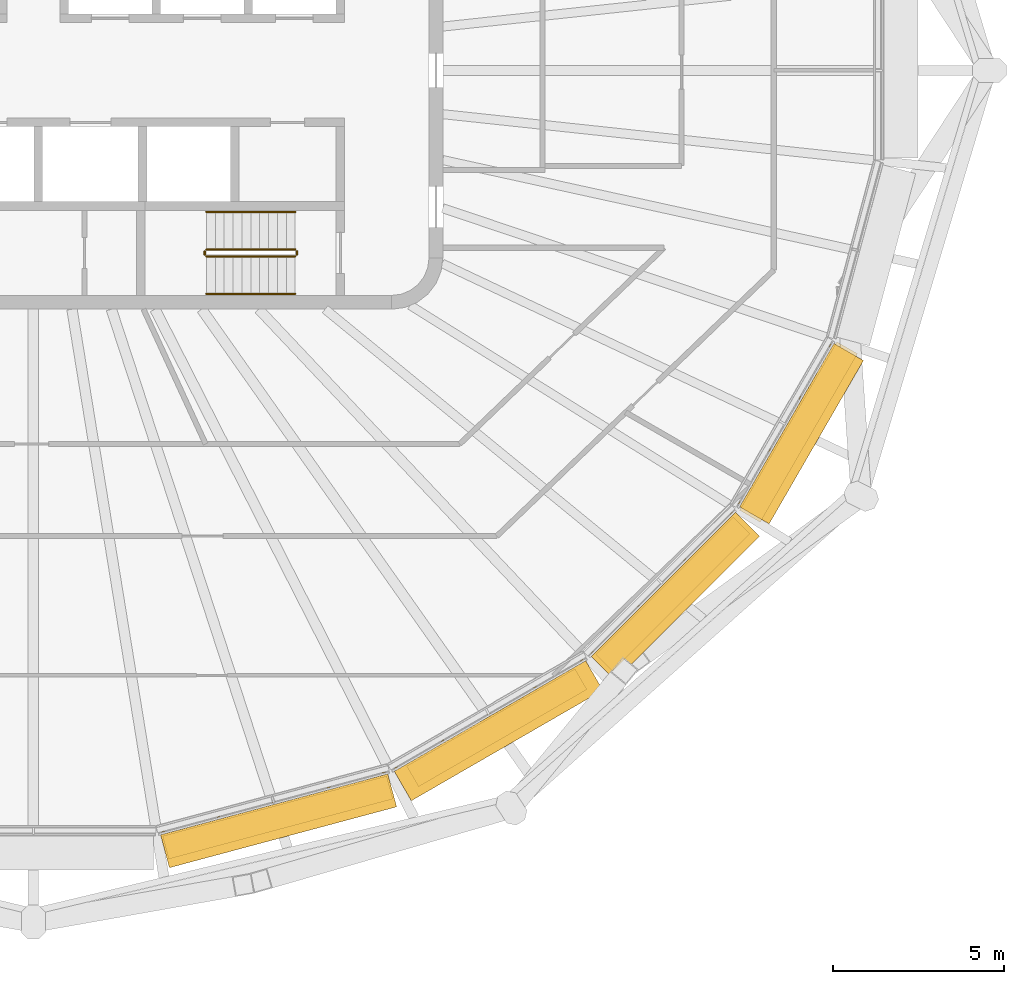
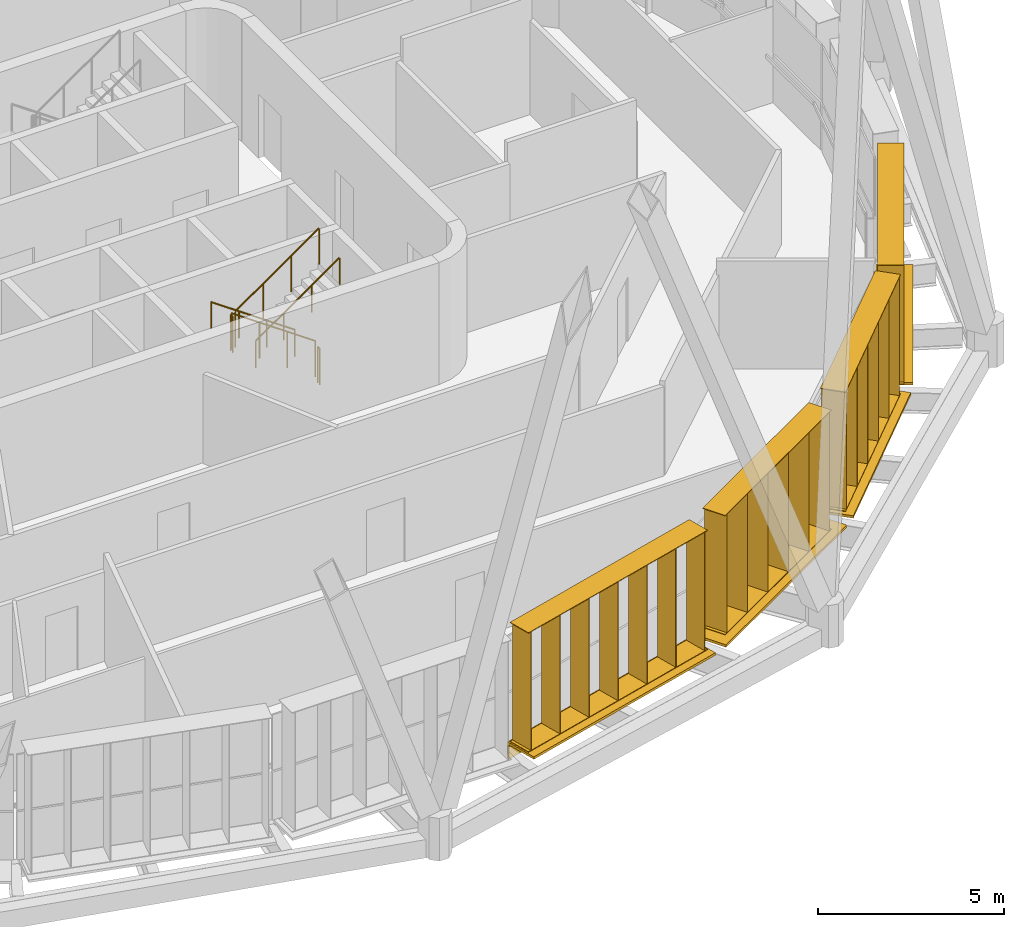
# One storey, part 16 of 18: 8 shading devices, 6 railings.
"""IFC4 building model written with IfcOpenShell, lengths in metres."""

from ifc_helpers import new_model, si_unit, direction, frame, origin, origin_2d, place, context, subcontext, project, spatial, rectangle, circle, extrude, material, type_object, element, save


model = new_model("IFC4")

# Units and contexts
model_context = context("Model", 3, precision=1e-05, world=origin(), true_north=direction((0.0, 1.0)))
body_context = subcontext(model_context, "Body", "Model", "MODEL_VIEW")
ifc_project = project(units=[si_unit("LENGTHUNIT", "METRE"), si_unit("AREAUNIT", "SQUARE_METRE"), si_unit("VOLUMEUNIT", "CUBIC_METRE"), si_unit("PLANEANGLEUNIT", "RADIAN"), si_unit("MASSUNIT", "GRAM", prefix="KILO")], contexts=[model_context])

# Site, building, storey
site_placement = place(None, origin())
site = spatial("IfcSite", under=ifc_project, at=site_placement, CompositionType="ELEMENT")
building_placement = place(site_placement, origin())
building = spatial("IfcBuilding", under=site, at=building_placement, Name="Sahrelin Media Tower", CompositionType="ELEMENT")
storey_placement = place(building_placement, frame((0.0, 0.0, 316.39990234375)))
storey = spatial("IfcBuildingStorey", under=building, at=storey_placement, Name="L70", CompositionType="ELEMENT", Elevation=316.39990234375)

# Shading devices
ifc_material_1 = material(Name="Champagne anodised aluminium 6063-T6", Category="aluminium")
shading_device_type_1 = type_object("IfcShadingDeviceType", Name="Fin cassette", PredefinedType="USERDEFINED", material=ifc_material_1)
placement_1 = place(storey_placement, frame((7.0537109375, -21.489990234375, 0.0), z_axis=(0.0, 0.0, 1.0), x_axis=(-0.965928857556, -0.258807731996, 0.0)))
element("IfcShadingDevice", 1, at=placement_1, inside=storey, type_object=shading_device_type_1, Name="L70:FIN:L70-19", ObjectType="FIN", PredefinedType="USERDEFINED", context=body_context, shape_type="SweptSolid", body=[
    extrude(rectangle(XDim=6.800048828125, YDim=0.699951171875, at=origin_2d()), frame((0.0, 0.419921875, 0.0)), (0.0, 0.0, 1.0), 0.02001953125),
    extrude(rectangle(XDim=6.800048828125, YDim=0.699951171875, at=origin_2d()), frame((0.0, 0.419921875, 3.89990234375)), (0.0, 0.0, 1.0), 0.02001953125),
    extrude(rectangle(XDim=0.02001953125, YDim=0.699951171875, at=origin_2d()), frame((-3.300048828125, 0.419921875, 0.010009765625), z_axis=(0.0, 0.0, 1.0), x_axis=(1.0, 0.0, 0.0)), (0.0, 0.0, 1.0), 3.89990234375),
    extrude(rectangle(XDim=0.02001953125, YDim=0.699951171875, at=origin_2d()), frame((-2.199951171875, 0.419921875, 0.010009765625), z_axis=(0.0, 0.0, 1.0), x_axis=(1.0, 0.0, 0.0)), (0.0, 0.0, 1.0), 3.89990234375),
    extrude(rectangle(XDim=0.02001953125, YDim=0.699951171875, at=origin_2d()), frame((-1.10009765625, 0.419921875, 0.010009765625), z_axis=(0.0, 0.0, 1.0), x_axis=(1.0, 0.0, 0.0)), (0.0, 0.0, 1.0), 3.89990234375),
    extrude(rectangle(XDim=0.02001953125, YDim=0.699951171875, at=origin_2d()), frame((0.0, 0.419921875, 0.010009765625), z_axis=(0.0, 0.0, 1.0), x_axis=(1.0, 0.0, 0.0)), (0.0, 0.0, 1.0), 3.89990234375),
    extrude(rectangle(XDim=0.02001953125, YDim=0.699951171875, at=origin_2d()), frame((1.10009765625, 0.419921875, 0.010009765625), z_axis=(0.0, 0.0, 1.0), x_axis=(1.0, 0.0, 0.0)), (0.0, 0.0, 1.0), 3.89990234375),
    extrude(rectangle(XDim=0.02001953125, YDim=0.699951171875, at=origin_2d()), frame((2.199951171875, 0.419921875, 0.010009765625), z_axis=(0.0, 0.0, 1.0), x_axis=(1.0, 0.0, 0.0)), (0.0, 0.0, 1.0), 3.89990234375),
    extrude(rectangle(XDim=0.02001953125, YDim=0.699951171875, at=origin_2d()), frame((3.300048828125, 0.419921875, 0.010009765625), z_axis=(0.0, 0.0, 1.0), x_axis=(1.0, 0.0, 0.0)), (0.0, 0.0, 1.0), 3.89990234375),
])
placement_2 = place(storey_placement, frame((13.372314453125, -18.902099609375, 0.0), z_axis=(0.0, 0.0, 1.0), x_axis=(-0.866019052629, -0.500011000363, 0.0)))
element("IfcShadingDevice", 2, at=placement_2, inside=storey, type_object=shading_device_type_1, Name="L70:FIN:L70-20", ObjectType="FIN", PredefinedType="USERDEFINED", context=body_context, shape_type="SweptSolid", body=[
    extrude(rectangle(XDim=5.699951171875, YDim=0.699951171875, at=origin_2d()), frame((0.0, 0.419921875, 0.0)), (0.0, 0.0, 1.0), 0.02001953125),
    extrude(rectangle(XDim=5.699951171875, YDim=0.699951171875, at=origin_2d()), frame((0.0, 0.419921875, 3.89990234375)), (0.0, 0.0, 1.0), 0.02001953125),
    extrude(rectangle(XDim=0.02001953125, YDim=0.699951171875, at=origin_2d()), frame((-2.75, 0.419921875, 0.010009765625), z_axis=(0.0, 0.0, 1.0), x_axis=(1.0, 0.0, 0.0)), (0.0, 0.0, 1.0), 3.89990234375),
    extrude(rectangle(XDim=0.02001953125, YDim=0.699951171875, at=origin_2d()), frame((-1.64990234375, 0.419921875, 0.010009765625), z_axis=(0.0, 0.0, 1.0), x_axis=(1.0, 0.0, 0.0)), (0.0, 0.0, 1.0), 3.89990234375),
    extrude(rectangle(XDim=0.02001953125, YDim=0.699951171875, at=origin_2d()), frame((-0.550048828125, 0.419921875, 0.010009765625), z_axis=(0.0, 0.0, 1.0), x_axis=(1.0, 0.0, 0.0)), (0.0, 0.0, 1.0), 3.89990234375),
    extrude(rectangle(XDim=0.02001953125, YDim=0.699951171875, at=origin_2d()), frame((0.550048828125, 0.419921875, 0.010009765625), z_axis=(0.0, 0.0, 1.0), x_axis=(1.0, 0.0, 0.0)), (0.0, 0.0, 1.0), 3.89990234375),
    extrude(rectangle(XDim=0.02001953125, YDim=0.699951171875, at=origin_2d()), frame((1.64990234375, 0.419921875, 0.010009765625), z_axis=(0.0, 0.0, 1.0), x_axis=(1.0, 0.0, 0.0)), (0.0, 0.0, 1.0), 3.89990234375),
    extrude(rectangle(XDim=0.02001953125, YDim=0.699951171875, at=origin_2d()), frame((2.75, 0.419921875, 0.010009765625), z_axis=(0.0, 0.0, 1.0), x_axis=(1.0, 0.0, 0.0)), (0.0, 0.0, 1.0), 3.89990234375),
])
placement_3 = place(storey_placement, frame((18.447509765625, -15.049560546875, 0.0), z_axis=(0.0, 0.0, 1.0), x_axis=(-0.707106781187, -0.707106781187, 0.0)))
element("IfcShadingDevice", 3, at=placement_3, inside=storey, type_object=shading_device_type_1, Name="L70:FIN:L70-21", ObjectType="FIN", PredefinedType="USERDEFINED", context=body_context, shape_type="SweptSolid", body=[
    extrude(rectangle(XDim=5.699951171875, YDim=0.699951171875, at=origin_2d()), frame((0.0, 0.419921875, 0.0)), (0.0, 0.0, 1.0), 0.02001953125),
    extrude(rectangle(XDim=5.699951171875, YDim=0.699951171875, at=origin_2d()), frame((0.0, 0.419921875, 3.89990234375)), (0.0, 0.0, 1.0), 0.02001953125),
    extrude(rectangle(XDim=0.02001953125, YDim=0.699951171875, at=origin_2d()), frame((-2.75, 0.419921875, 0.010009765625), z_axis=(0.0, 0.0, 1.0), x_axis=(1.0, 0.0, 0.0)), (0.0, 0.0, 1.0), 3.89990234375),
    extrude(rectangle(XDim=0.02001953125, YDim=0.699951171875, at=origin_2d()), frame((-1.64990234375, 0.419921875, 0.010009765625), z_axis=(0.0, 0.0, 1.0), x_axis=(1.0, 0.0, 0.0)), (0.0, 0.0, 1.0), 3.89990234375),
    extrude(rectangle(XDim=0.02001953125, YDim=0.699951171875, at=origin_2d()), frame((-0.550048828125, 0.419921875, 0.010009765625), z_axis=(0.0, 0.0, 1.0), x_axis=(1.0, 0.0, 0.0)), (0.0, 0.0, 1.0), 3.89990234375),
    extrude(rectangle(XDim=0.02001953125, YDim=0.699951171875, at=origin_2d()), frame((0.550048828125, 0.419921875, 0.010009765625), z_axis=(0.0, 0.0, 1.0), x_axis=(1.0, 0.0, 0.0)), (0.0, 0.0, 1.0), 3.89990234375),
    extrude(rectangle(XDim=0.02001953125, YDim=0.699951171875, at=origin_2d()), frame((1.64990234375, 0.419921875, 0.010009765625), z_axis=(0.0, 0.0, 1.0), x_axis=(1.0, 0.0, 0.0)), (0.0, 0.0, 1.0), 3.89990234375),
    extrude(rectangle(XDim=0.02001953125, YDim=0.699951171875, at=origin_2d()), frame((2.75, 0.419921875, 0.010009765625), z_axis=(0.0, 0.0, 1.0), x_axis=(1.0, 0.0, 0.0)), (0.0, 0.0, 1.0), 3.89990234375),
])
placement_4 = place(storey_placement, frame((22.0615234375, -10.387451171875, 0.0), z_axis=(0.0, 0.0, 1.0), x_axis=(-0.500011000363, -0.866019052629, 0.0)))
element("IfcShadingDevice", 4, at=placement_4, inside=storey, type_object=shading_device_type_1, Name="L70:FIN:L70-22", ObjectType="FIN", PredefinedType="USERDEFINED", context=body_context, shape_type="SweptSolid", body=[
    extrude(rectangle(XDim=5.699951171875, YDim=0.699951171875, at=origin_2d()), frame((0.0, 0.419921875, 0.0)), (0.0, 0.0, 1.0), 0.02001953125),
    extrude(rectangle(XDim=5.699951171875, YDim=0.699951171875, at=origin_2d()), frame((0.0, 0.419921875, 3.89990234375)), (0.0, 0.0, 1.0), 0.02001953125),
    extrude(rectangle(XDim=0.02001953125, YDim=0.699951171875, at=origin_2d()), frame((-2.75, 0.419921875, 0.010009765625), z_axis=(0.0, 0.0, 1.0), x_axis=(1.0, 0.0, 0.0)), (0.0, 0.0, 1.0), 3.89990234375),
    extrude(rectangle(XDim=0.02001953125, YDim=0.699951171875, at=origin_2d()), frame((-1.64990234375, 0.419921875, 0.010009765625), z_axis=(0.0, 0.0, 1.0), x_axis=(1.0, 0.0, 0.0)), (0.0, 0.0, 1.0), 3.89990234375),
    extrude(rectangle(XDim=0.02001953125, YDim=0.699951171875, at=origin_2d()), frame((-0.550048828125, 0.419921875, 0.010009765625), z_axis=(0.0, 0.0, 1.0), x_axis=(1.0, 0.0, 0.0)), (0.0, 0.0, 1.0), 3.89990234375),
    extrude(rectangle(XDim=0.02001953125, YDim=0.699951171875, at=origin_2d()), frame((0.550048828125, 0.419921875, 0.010009765625), z_axis=(0.0, 0.0, 1.0), x_axis=(1.0, 0.0, 0.0)), (0.0, 0.0, 1.0), 3.89990234375),
    extrude(rectangle(XDim=0.02001953125, YDim=0.699951171875, at=origin_2d()), frame((1.64990234375, 0.419921875, 0.010009765625), z_axis=(0.0, 0.0, 1.0), x_axis=(1.0, 0.0, 0.0)), (0.0, 0.0, 1.0), 3.89990234375),
    extrude(rectangle(XDim=0.02001953125, YDim=0.699951171875, at=origin_2d()), frame((2.75, 0.419921875, 0.010009765625), z_axis=(0.0, 0.0, 1.0), x_axis=(1.0, 0.0, 0.0)), (0.0, 0.0, 1.0), 3.89990234375),
])

# Railings
ifc_material_2 = material(Name="Steel S355", Category="steel")
railing_type_1 = type_object("IfcRailingType", Name="Stair guard 1200", PredefinedType="GUARDRAIL", material=ifc_material_2)
railing_1_placement = place(storey_placement, frame((7.675048828125, -5.25, 0.181884765625)))
element("IfcRailing", 5, at=railing_1_placement, inside=storey, type_object=railing_type_1, Name="L70 ST2 stair guard 1", PredefinedType="GUARDRAIL", context=body_context, shape_type="SweptSolid", body=[
    extrude(circle(Radius=0.02392578125, at=origin_2d()), frame((0.0, 0.0, 1.17578125), z_axis=(-0.819521025635, 0.0, 0.573049115296), x_axis=(0.0, -1.0, 0.0)), (0.0, 0.0, 1.0), 3.172607421875),
    extrude(circle(Radius=0.02099609375, at=origin_2d()), origin(), (0.0, 0.0, 1.0), 1.15185546875),
    extrude(circle(Radius=0.02099609375, at=origin_2d()), frame((-0.86669921875, 0.0, 0.60595703125)), (0.0, 0.0, 1.0), 1.15185546875),
    extrude(circle(Radius=0.02099609375, at=origin_2d()), frame((-1.7333984375, 0.0, 1.212158203125)), (0.0, 0.0, 1.0), 1.15185546875),
    extrude(circle(Radius=0.02099609375, at=origin_2d()), frame((-2.60009765625, 0.0, 1.818115234375)), (0.0, 0.0, 1.0), 1.15185546875),
])
railing_2_placement = place(storey_placement, frame((5.02490234375, -5.300048828125, 2.0)))
element("IfcRailing", 6, at=railing_2_placement, inside=storey, type_object=railing_type_1, Name="L70 ST2 stair guard 2", PredefinedType="GUARDRAIL", context=body_context, shape_type="SweptSolid", body=[
    extrude(circle(Radius=0.02392578125, at=origin_2d()), frame((0.0, 0.0, 1.17578125), z_axis=(0.0, -1.0, 0.0), x_axis=(1.0, 0.0, 0.0)), (0.0, 0.0, 1.0), 0.099853515625),
    extrude(circle(Radius=0.02099609375, at=origin_2d()), origin(), (0.0, 0.0, 1.0), 1.15185546875),
    extrude(circle(Radius=0.02099609375, at=origin_2d()), frame((0.0, -0.099853515625, 0.0)), (0.0, 0.0, 1.0), 1.15185546875),
])
railing_3_placement = place(storey_placement, frame((5.074951171875, -5.449951171875, 2.181884765625)))
element("IfcRailing", 7, at=railing_3_placement, inside=storey, type_object=railing_type_1, Name="L70 ST2 stair guard 3", PredefinedType="GUARDRAIL", context=body_context, shape_type="SweptSolid", body=[
    extrude(circle(Radius=0.02392578125, at=origin_2d()), frame((0.0, 0.0, 1.17578125), z_axis=(0.819521025635, 0.0, 0.573049115296), x_axis=(0.0, 1.0, 0.0)), (0.0, 0.0, 1.0), 3.172607421875),
    extrude(circle(Radius=0.02099609375, at=origin_2d()), origin(), (0.0, 0.0, 1.0), 1.15185546875),
    extrude(circle(Radius=0.02099609375, at=origin_2d()), frame((0.86669921875, 0.0, 0.60595703125)), (0.0, 0.0, 1.0), 1.15185546875),
    extrude(circle(Radius=0.02099609375, at=origin_2d()), frame((1.7333984375, 0.0, 1.212158203125)), (0.0, 0.0, 1.0), 1.15185546875),
    extrude(circle(Radius=0.02099609375, at=origin_2d()), frame((2.60009765625, 0.0, 1.818115234375)), (0.0, 0.0, 1.0), 1.15185546875),
])
railing_4_placement = place(storey_placement, frame((7.72509765625, -5.300048828125, 0.0)))
element("IfcRailing", 8, at=railing_4_placement, inside=storey, type_object=railing_type_1, Name="L70 ST2 stair guard 4", PredefinedType="GUARDRAIL", context=body_context, shape_type="SweptSolid", body=[
    extrude(circle(Radius=0.02392578125, at=origin_2d()), frame((0.0, 0.0, 1.17578125), z_axis=(0.0, -1.0, 0.0), x_axis=(1.0, 0.0, 0.0)), (0.0, 0.0, 1.0), 0.099853515625),
    extrude(circle(Radius=0.02099609375, at=origin_2d()), origin(), (0.0, 0.0, 1.0), 1.15185546875),
    extrude(circle(Radius=0.02099609375, at=origin_2d()), frame((0.0, -0.099853515625, 0.0)), (0.0, 0.0, 1.0), 1.15185546875),
])
railing_type_2 = type_object("IfcRailingType", Name="Stair handrail 900", PredefinedType="HANDRAIL", material=ifc_material_2)
railing_5_placement = place(storey_placement, frame((7.675048828125, -4.14990234375, 0.181884765625)))
element("IfcRailing", 9, at=railing_5_placement, inside=storey, type_object=railing_type_2, Name="L70 ST2 stair handrail 1", PredefinedType="HANDRAIL", context=body_context, shape_type="SweptSolid", body=[
    extrude(circle(Radius=0.02392578125, at=origin_2d()), frame((0.0, 0.0, 0.8759765625), z_axis=(-0.819521025635, 0.0, 0.573049115296), x_axis=(0.0, -1.0, 0.0)), (0.0, 0.0, 1.0), 3.172607421875),
    extrude(circle(Radius=0.02099609375, at=origin_2d()), origin(), (0.0, 0.0, 1.0), 0.851806640625),
    extrude(circle(Radius=0.02099609375, at=origin_2d()), frame((-0.86669921875, 0.0, 0.60595703125)), (0.0, 0.0, 1.0), 0.851806640625),
    extrude(circle(Radius=0.02099609375, at=origin_2d()), frame((-1.7333984375, 0.0, 1.212158203125)), (0.0, 0.0, 1.0), 0.851806640625),
    extrude(circle(Radius=0.02099609375, at=origin_2d()), frame((-2.60009765625, 0.0, 1.818115234375)), (0.0, 0.0, 1.0), 0.851806640625),
])
railing_6_placement = place(storey_placement, frame((5.074951171875, -6.550048828125, 2.181884765625)))
element("IfcRailing", 10, at=railing_6_placement, inside=storey, type_object=railing_type_2, Name="L70 ST2 stair handrail 2", PredefinedType="HANDRAIL", context=body_context, shape_type="SweptSolid", body=[
    extrude(circle(Radius=0.02392578125, at=origin_2d()), frame((0.0, 0.0, 0.8759765625), z_axis=(0.819521025635, 0.0, 0.573049115296), x_axis=(0.0, 1.0, 0.0)), (0.0, 0.0, 1.0), 3.172607421875),
    extrude(circle(Radius=0.02099609375, at=origin_2d()), origin(), (0.0, 0.0, 1.0), 0.851806640625),
    extrude(circle(Radius=0.02099609375, at=origin_2d()), frame((0.86669921875, 0.0, 0.60595703125)), (0.0, 0.0, 1.0), 0.851806640625),
    extrude(circle(Radius=0.02099609375, at=origin_2d()), frame((1.7333984375, 0.0, 1.212158203125)), (0.0, 0.0, 1.0), 0.851806640625),
    extrude(circle(Radius=0.02099609375, at=origin_2d()), frame((2.60009765625, 0.0, 1.818115234375)), (0.0, 0.0, 1.0), 0.851806640625),
])

# Shading devices
shading_device_type_2 = type_object("IfcShadingDeviceType", Name="Sunshade band", PredefinedType="USERDEFINED", material=ifc_material_1)
element("IfcShadingDevice", 11, at=placement_1, inside=storey, type_object=shading_device_type_2, Name="L70:SUN:L70-19", ObjectType="SUNSHADE", PredefinedType="USERDEFINED", context=body_context, shape_type="SweptSolid", body=[
    extrude(rectangle(XDim=6.893798828125, YDim=0.050048828125, at=origin_2d()), frame((0.0, 0.044921875, -0.55126953125)), (0.0, 0.0, 1.0), 0.471435546875),
    extrude(rectangle(XDim=6.893798828125, YDim=1.0, at=origin_2d()), frame((0.0, 0.52001953125, -0.080078125)), (0.0, 0.0, 1.0), 0.080078125),
    extrude(rectangle(XDim=0.10009765625, YDim=0.074951171875, at=origin_2d()), frame((-3.346923828125, -0.017578125, -0.47021484375)), (0.0, 0.0, 1.0), 0.300048828125),
    extrude(rectangle(XDim=0.10009765625, YDim=0.074951171875, at=origin_2d()), frame((-1.673583984375, -0.017578125, -0.47021484375)), (0.0, 0.0, 1.0), 0.300048828125),
    extrude(rectangle(XDim=0.10009765625, YDim=0.074951171875, at=origin_2d()), frame((0.0, -0.017578125, -0.47021484375)), (0.0, 0.0, 1.0), 0.300048828125),
    extrude(rectangle(XDim=0.10009765625, YDim=0.074951171875, at=origin_2d()), frame((1.673583984375, -0.017578125, -0.47021484375)), (0.0, 0.0, 1.0), 0.300048828125),
    extrude(rectangle(XDim=0.10009765625, YDim=0.074951171875, at=origin_2d()), frame((3.346923828125, -0.017578125, -0.47021484375)), (0.0, 0.0, 1.0), 0.300048828125),
])
element("IfcShadingDevice", 12, at=placement_2, inside=storey, type_object=shading_device_type_2, Name="L70:SUN:L70-20", ObjectType="SUNSHADE", PredefinedType="USERDEFINED", context=body_context, shape_type="SweptSolid", body=[
    extrude(rectangle(XDim=6.47998046875, YDim=0.050048828125, at=origin_2d()), frame((0.0, 0.044921875, -0.55126953125)), (0.0, 0.0, 1.0), 0.471435546875),
    extrude(rectangle(XDim=6.47998046875, YDim=1.0, at=origin_2d()), frame((0.0, 0.52001953125, -0.080078125)), (0.0, 0.0, 1.0), 0.080078125),
    extrude(rectangle(XDim=0.10009765625, YDim=0.074951171875, at=origin_2d()), frame((-3.139892578125, -0.017578125, -0.47021484375)), (0.0, 0.0, 1.0), 0.300048828125),
    extrude(rectangle(XDim=0.10009765625, YDim=0.074951171875, at=origin_2d()), frame((-1.570068359375, -0.017578125, -0.47021484375)), (0.0, 0.0, 1.0), 0.300048828125),
    extrude(rectangle(XDim=0.10009765625, YDim=0.074951171875, at=origin_2d()), frame((0.0, -0.017578125, -0.47021484375)), (0.0, 0.0, 1.0), 0.300048828125),
    extrude(rectangle(XDim=0.10009765625, YDim=0.074951171875, at=origin_2d()), frame((1.570068359375, -0.017578125, -0.47021484375)), (0.0, 0.0, 1.0), 0.300048828125),
    extrude(rectangle(XDim=0.10009765625, YDim=0.074951171875, at=origin_2d()), frame((3.139892578125, -0.017578125, -0.47021484375)), (0.0, 0.0, 1.0), 0.300048828125),
])
element("IfcShadingDevice", 13, at=placement_3, inside=storey, type_object=shading_device_type_2, Name="L70:SUN:L70-21", ObjectType="SUNSHADE", PredefinedType="USERDEFINED", context=body_context, shape_type="SweptSolid", body=[
    extrude(rectangle(XDim=5.973388671875, YDim=0.050048828125, at=origin_2d()), frame((0.0, 0.044921875, -0.55126953125)), (0.0, 0.0, 1.0), 0.471435546875),
    extrude(rectangle(XDim=5.973388671875, YDim=1.0, at=origin_2d()), frame((0.0, 0.52001953125, -0.080078125)), (0.0, 0.0, 1.0), 0.080078125),
    extrude(rectangle(XDim=0.10009765625, YDim=0.074951171875, at=origin_2d()), frame((-2.88671875, -0.017578125, -0.47021484375)), (0.0, 0.0, 1.0), 0.300048828125),
    extrude(rectangle(XDim=0.10009765625, YDim=0.074951171875, at=origin_2d()), frame((-0.962158203125, -0.017578125, -0.47021484375)), (0.0, 0.0, 1.0), 0.300048828125),
    extrude(rectangle(XDim=0.10009765625, YDim=0.074951171875, at=origin_2d()), frame((0.962158203125, -0.017578125, -0.47021484375)), (0.0, 0.0, 1.0), 0.300048828125),
    extrude(rectangle(XDim=0.10009765625, YDim=0.074951171875, at=origin_2d()), frame((2.88671875, -0.017578125, -0.47021484375)), (0.0, 0.0, 1.0), 0.300048828125),
])
element("IfcShadingDevice", 14, at=placement_4, inside=storey, type_object=shading_device_type_2, Name="L70:SUN:L70-22", ObjectType="SUNSHADE", PredefinedType="USERDEFINED", context=body_context, shape_type="SweptSolid", body=[
    extrude(rectangle(XDim=5.525634765625, YDim=0.050048828125, at=origin_2d()), frame((0.0, 0.044921875, -0.55126953125)), (0.0, 0.0, 1.0), 0.471435546875),
    extrude(rectangle(XDim=5.525634765625, YDim=1.0, at=origin_2d()), frame((0.0, 0.52001953125, -0.080078125)), (0.0, 0.0, 1.0), 0.080078125),
    extrude(rectangle(XDim=0.10009765625, YDim=0.074951171875, at=origin_2d()), frame((-2.662841796875, -0.017578125, -0.47021484375)), (0.0, 0.0, 1.0), 0.300048828125),
    extrude(rectangle(XDim=0.10009765625, YDim=0.074951171875, at=origin_2d()), frame((-0.8876953125, -0.017578125, -0.47021484375)), (0.0, 0.0, 1.0), 0.300048828125),
    extrude(rectangle(XDim=0.10009765625, YDim=0.074951171875, at=origin_2d()), frame((0.8876953125, -0.017578125, -0.47021484375)), (0.0, 0.0, 1.0), 0.300048828125),
    extrude(rectangle(XDim=0.10009765625, YDim=0.074951171875, at=origin_2d()), frame((2.662841796875, -0.017578125, -0.47021484375)), (0.0, 0.0, 1.0), 0.300048828125),
])

save(model, "model.ifc")
